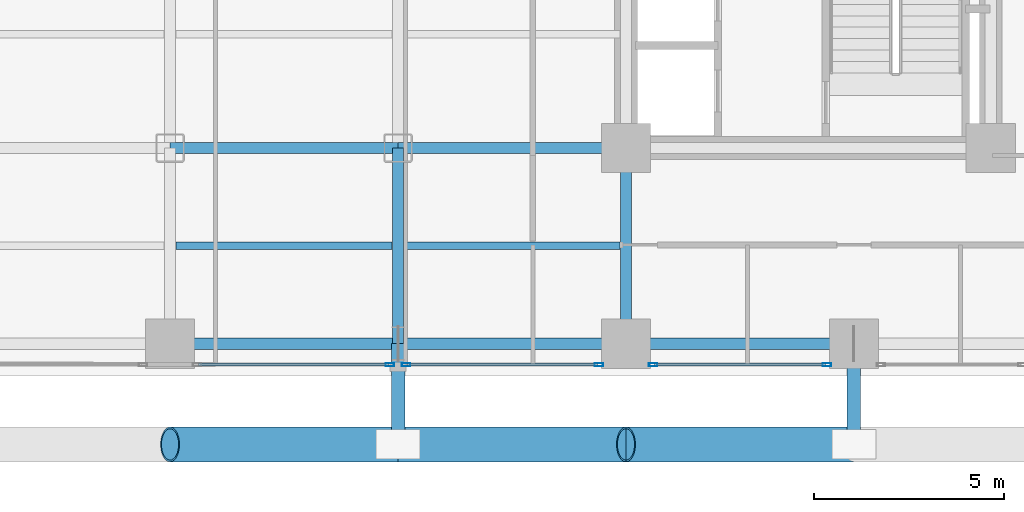
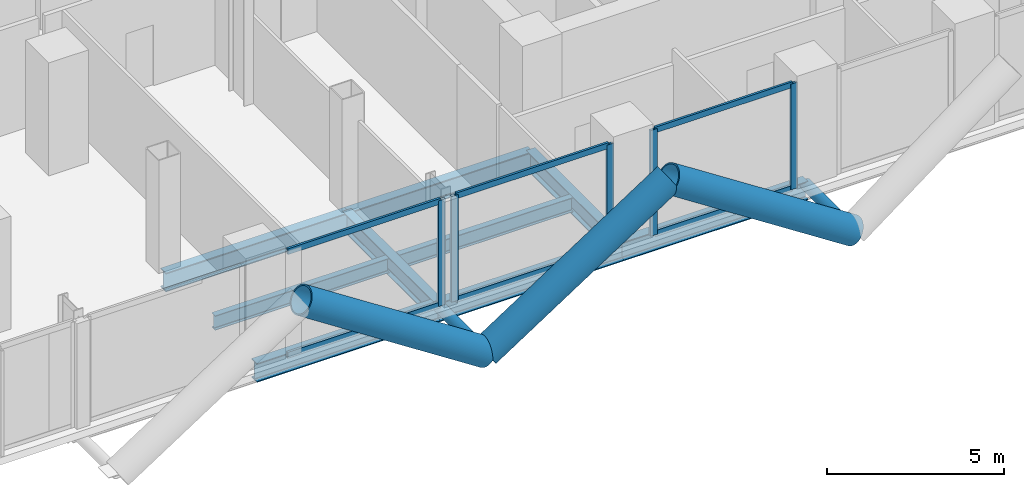
# One storey, part 3 of 27: 16 members, 9 beams, 3 elements without a shape of their own.
"""IFC4 building model written with IfcOpenShell, lengths in metres."""

from ifc_helpers import new_model, si_unit, direction, frame, origin, origin_2d, place, context, subcontext, project, spatial, hollow_rectangle, hollow_circle, i_section, extrude, material, layer, layer_set, material_profile, profile_set, type_object, element, aggregate, save


model = new_model("IFC4")

# Units and contexts
model_context = context("Model", 3, precision=1e-05, world=origin(), true_north=direction((0.0, 1.0)))
body_context = subcontext(model_context, "Body", "Model", "MODEL_VIEW")
ifc_project = project(units=[si_unit("LENGTHUNIT", "METRE"), si_unit("AREAUNIT", "SQUARE_METRE"), si_unit("VOLUMEUNIT", "CUBIC_METRE"), si_unit("PLANEANGLEUNIT", "RADIAN"), si_unit("MASSUNIT", "GRAM", prefix="KILO"), si_unit("THERMODYNAMICTEMPERATUREUNIT", "KELVIN"), si_unit("POWERUNIT", "WATT")], contexts=[model_context])

# Site, building, storey
site_placement = place(None, origin())
site = spatial("IfcSite", under=ifc_project, at=site_placement, CompositionType="ELEMENT")
building_placement = place(site_placement, origin())
building = spatial("IfcBuilding", under=site, at=building_placement, Name="Svarakhadi Broadcast Tower", CompositionType="ELEMENT")
storey_placement = place(building_placement, frame((0.0, 0.0, 40.199951171875)))
storey = spatial("IfcBuildingStorey", under=building, at=storey_placement, Name="L08", CompositionType="ELEMENT", Elevation=40.199951171875)

# Beams
ifc_material_1 = material(Name="Steel S355J2 (IS 2062 E350C)", Category="steel")
ifc_material_profile_1 = material_profile(ifc_material_1, i_section(OverallWidth=0.199951171875, OverallDepth=0.5, WebThickness=0.01025390625, FlangeThickness=0.01611328125, FilletRadius=0.02099609375, at=origin_2d()), Name="NPB 500x200x91")
ifc_profile_set_1 = profile_set([ifc_material_profile_1], Name="Steel S355J2 (IS 2062 E350C)")
beam_type_1 = type_object("IfcBeamType", Name="Beam_NPB500", PredefinedType="BEAM", material=ifc_profile_set_1)
for number, where, z_axis, x_axis, name in (
    (1, (12.159912109375, 3.425048828125, -0.5), (1.0, 0.0, 0.0), (0.0, 1.0, 0.0), "L08 Secondary Composite Beam SB013"),
    (2, (18.159912109375, 3.425048828125, -0.5), (1.0, 0.0, 0.0), (0.0, 1.0, 0.0), "L08 Secondary Composite Beam SB019"),
):
    element("IfcBeam", number, at=place(storey_placement, frame(where, z_axis=z_axis, x_axis=x_axis)), inside=storey, type_object=beam_type_1, Name=name, PredefinedType="BEAM", context=body_context, shape_type="SweptSolid", body=[
        extrude(i_section(OverallWidth=0.199951171875, OverallDepth=0.5, WebThickness=0.01025390625, FlangeThickness=0.01611328125, FilletRadius=0.02099609375, at=origin_2d()), origin(), (0.0, 0.0, 1.0), 5.68017578125),
    ])

# Curtain wall, members
ifc_material_2 = material(Name="Anodised Bronze Aluminium AA 6063-T6", Category="aluminium")
ifc_layer = layer(ifc_material_2, 0.219970703125)
ifc_layer_set = layer_set([ifc_layer], Name="Anodised Bronze Aluminium AA 6063-T6")
curtain_wall_type = type_object("IfcCurtainWallType", Name="CW_Sys_02", PredefinedType="NOTDEFINED", material=ifc_layer_set)
curtain_wall_1_placement = place(storey_placement, origin())
curtain_wall_1 = element("IfcCurtainWall", 3, at=curtain_wall_1_placement, inside=storey, type_object=curtain_wall_type, Name="L08 South Curtain Wall 17 Bay 3", PredefinedType="NOTDEFINED")
ifc_material_profile_2 = material_profile(ifc_material_2, hollow_rectangle(XDim=0.0849609375, YDim=0.219970703125, WallThickness=0.006103515625, at=origin_2d()), Name="ALU MULLION 220x85x6")
ifc_profile_set_2 = profile_set([ifc_material_profile_2], Name="Anodised Bronze Aluminium AA 6063-T6")
member_type_1 = type_object("IfcMemberType", Name="CW_Sys_02_Mul", PredefinedType="MULLION", material=ifc_profile_set_2)
member_1_placement = place(storey_placement, frame((29.28759765625, 0.300048828125, 0.0), z_axis=(0.0, 0.0, 1.0), x_axis=(0.0, -1.0, 0.0)))
member_1 = element("IfcMember", 4, at=member_1_placement, type_object=member_type_1, Name="CW-02 mullion 1", PredefinedType="MULLION", context=body_context, shape_type="SweptSolid", body=[
    extrude(hollow_rectangle(XDim=0.0849609375, YDim=0.219970703125, WallThickness=0.006103515625, at=origin_2d()), origin(), (0.0, 0.0, 1.0), 3.650146484375),
])
member_2_placement = place(storey_placement, frame((24.71240234375, 0.300048828125, 0.0), z_axis=(0.0, 0.0, 1.0), x_axis=(0.0, -1.0, 0.0)))
member_2 = element("IfcMember", 5, at=member_2_placement, type_object=member_type_1, Name="CW-02 mullion 2", PredefinedType="MULLION", context=body_context, shape_type="SweptSolid", body=[
    extrude(hollow_rectangle(XDim=0.0849609375, YDim=0.219970703125, WallThickness=0.006103515625, at=origin_2d()), origin(), (0.0, 0.0, 1.0), 3.650146484375),
])

curtain_wall_2_placement = place(storey_placement, origin())
curtain_wall_2 = element("IfcCurtainWall", 6, at=curtain_wall_2_placement, inside=storey, type_object=curtain_wall_type, Name="L08 South Curtain Wall 17 Bay 4", PredefinedType="NOTDEFINED")
member_3_placement = place(storey_placement, frame((23.28759765625, 0.300048828125, 0.0), z_axis=(0.0, 0.0, 1.0), x_axis=(0.0, -1.0, 0.0)))
member_3 = element("IfcMember", 7, at=member_3_placement, type_object=member_type_1, Name="CW-02 mullion 1", PredefinedType="MULLION", context=body_context, shape_type="SweptSolid", body=[
    extrude(hollow_rectangle(XDim=0.0849609375, YDim=0.219970703125, WallThickness=0.006103515625, at=origin_2d()), origin(), (0.0, 0.0, 1.0), 3.650146484375),
])
member_4_placement = place(storey_placement, frame((18.21240234375, 0.300048828125, 0.0), z_axis=(0.0, 0.0, 1.0), x_axis=(0.0, -1.0, 0.0)))
member_4 = element("IfcMember", 8, at=member_4_placement, type_object=member_type_1, Name="CW-02 mullion 2", PredefinedType="MULLION", context=body_context, shape_type="SweptSolid", body=[
    extrude(hollow_rectangle(XDim=0.0849609375, YDim=0.219970703125, WallThickness=0.006103515625, at=origin_2d()), origin(), (0.0, 0.0, 1.0), 3.650146484375),
])

# Curtain wall, member
curtain_wall_3_placement = place(storey_placement, origin())
curtain_wall_3 = element("IfcCurtainWall", 9, at=curtain_wall_3_placement, inside=storey, type_object=curtain_wall_type, Name="L08 South Curtain Wall 17 Bay 5", PredefinedType="NOTDEFINED")
member_5_placement = place(storey_placement, frame((17.78759765625, 0.300048828125, 0.0), z_axis=(0.0, 0.0, 1.0), x_axis=(0.0, -1.0, 0.0)))
member_5 = element("IfcMember", 10, at=member_5_placement, type_object=member_type_1, Name="CW-02 mullion 1", PredefinedType="MULLION", context=body_context, shape_type="SweptSolid", body=[
    extrude(hollow_rectangle(XDim=0.0849609375, YDim=0.219970703125, WallThickness=0.006103515625, at=origin_2d()), origin(), (0.0, 0.0, 1.0), 3.650146484375),
])

# Member
ifc_material_profile_3 = material_profile(ifc_material_2, hollow_rectangle(XDim=0.074951171875, YDim=0.199951171875, WallThickness=0.0048828125, at=origin_2d()), Name="ALU TRANSOM 200x75x5")
ifc_profile_set_3 = profile_set([ifc_material_profile_3], Name="Anodised Bronze Aluminium AA 6063-T6")
member_type_2 = type_object("IfcMemberType", Name="CW_Sys_02_Trn", PredefinedType="USERDEFINED", material=ifc_profile_set_3)
member_6_placement = place(storey_placement, frame((29.2451171875, 0.300048828125, 0.03759765625), z_axis=(-1.0, 0.0, 0.0), x_axis=(0.0, -1.0, 0.0)))
member_6 = element("IfcMember", 11, at=member_6_placement, type_object=member_type_2, Name="CW-02 transom 1.1", ObjectType="TRANSOM", PredefinedType="USERDEFINED", context=body_context, shape_type="SweptSolid", body=[
    extrude(hollow_rectangle(XDim=0.074951171875, YDim=0.199951171875, WallThickness=0.0048828125, at=origin_2d()), origin(), (0.0, 0.0, 1.0), 4.490234375),
])

member_7_placement = place(storey_placement, frame((29.2451171875, 0.300048828125, 3.612548828125), z_axis=(-1.0, 0.0, 0.0), x_axis=(0.0, -1.0, 0.0)))
member_7 = element("IfcMember", 12, at=member_7_placement, type_object=member_type_2, Name="CW-02 transom 1.2", ObjectType="TRANSOM", PredefinedType="USERDEFINED", context=body_context, shape_type="SweptSolid", body=[
    extrude(hollow_rectangle(XDim=0.074951171875, YDim=0.199951171875, WallThickness=0.0048828125, at=origin_2d()), origin(), (0.0, 0.0, 1.0), 4.490234375),
])

aggregate(curtain_wall_1, [member_1, member_2, member_6, member_7])

member_8_placement = place(storey_placement, frame((23.2451171875, 0.300048828125, 0.03759765625), z_axis=(-1.0, 0.0, 0.0), x_axis=(0.0, -1.0, 0.0)))
member_8 = element("IfcMember", 13, at=member_8_placement, type_object=member_type_2, Name="CW-02 transom 1.1", ObjectType="TRANSOM", PredefinedType="USERDEFINED", context=body_context, shape_type="SweptSolid", body=[
    extrude(hollow_rectangle(XDim=0.074951171875, YDim=0.199951171875, WallThickness=0.0048828125, at=origin_2d()), origin(), (0.0, 0.0, 1.0), 4.990234375),
])

member_9_placement = place(storey_placement, frame((23.2451171875, 0.300048828125, 3.612548828125), z_axis=(-1.0, 0.0, 0.0), x_axis=(0.0, -1.0, 0.0)))
member_9 = element("IfcMember", 14, at=member_9_placement, type_object=member_type_2, Name="CW-02 transom 1.2", ObjectType="TRANSOM", PredefinedType="USERDEFINED", context=body_context, shape_type="SweptSolid", body=[
    extrude(hollow_rectangle(XDim=0.074951171875, YDim=0.199951171875, WallThickness=0.0048828125, at=origin_2d()), origin(), (0.0, 0.0, 1.0), 4.990234375),
])

aggregate(curtain_wall_2, [member_3, member_4, member_8, member_9])

member_10_placement = place(storey_placement, frame((17.7451171875, 0.300048828125, 0.03759765625), z_axis=(-1.0, 0.0, 0.0), x_axis=(0.0, -1.0, 0.0)))
member_10 = element("IfcMember", 15, at=member_10_placement, type_object=member_type_2, Name="CW-02 transom 1.1", ObjectType="TRANSOM", PredefinedType="USERDEFINED", context=body_context, shape_type="SweptSolid", body=[
    extrude(hollow_rectangle(XDim=0.074951171875, YDim=0.199951171875, WallThickness=0.0048828125, at=origin_2d()), origin(), (0.0, 0.0, 1.0), 4.990234375),
])

member_11_placement = place(storey_placement, frame((17.7451171875, 0.300048828125, 3.612548828125), z_axis=(-1.0, 0.0, 0.0), x_axis=(0.0, -1.0, 0.0)))
member_11 = element("IfcMember", 16, at=member_11_placement, type_object=member_type_2, Name="CW-02 transom 1.2", ObjectType="TRANSOM", PredefinedType="USERDEFINED", context=body_context, shape_type="SweptSolid", body=[
    extrude(hollow_rectangle(XDim=0.074951171875, YDim=0.199951171875, WallThickness=0.0048828125, at=origin_2d()), origin(), (0.0, 0.0, 1.0), 4.990234375),
])

aggregate(curtain_wall_3, [member_5, member_10, member_11])

# Members
ifc_material_3 = material(Name="Steel S460ML (IS 2062 E450BR)", Category="steel")
ifc_material_profile_4 = material_profile(ifc_material_3, hollow_circle(Radius=0.45703125, WallThickness=0.044921875, at=origin_2d()), Name="CHS 914x45")
ifc_profile_set_4 = profile_set([ifc_material_profile_4], Name="Steel S460ML (IS 2062 E450BR)")
member_type_3 = type_object("IfcMemberType", Name="Exo_Brace_CHS914", PredefinedType="BRACE", material=ifc_profile_set_4)
for number, where, z_axis, x_axis, name in (
    (17, (18.0, -1.800048828125, -0.427734375), (-0.838449851971, 0.0, 0.544978757136), (0.0, -1.0, 0.0), "L08 Exposed Bronze Exoskeleton Diagonal S02"),
    (18, (18.0, -1.800048828125, -0.427734375), (0.838449851971, 0.0, 0.544978757136), (0.0, 1.0, 0.0), "L08 Exposed Bronze Exoskeleton Diagonal S03"),
    (19, (30.0, -1.800048828125, -0.427734375), (-0.838449851971, 0.0, 0.544978757136), (0.0, -1.0, 0.0), "L08 Exposed Bronze Exoskeleton Diagonal S04"),
):
    element("IfcMember", number, at=place(storey_placement, frame(where, z_axis=z_axis, x_axis=x_axis)), inside=storey, type_object=member_type_3, Name=name, PredefinedType="BRACE", context=body_context, shape_type="SweptSolid", body=[
        extrude(hollow_circle(Radius=0.45703125, WallThickness=0.044921875, at=origin_2d()), origin(), (0.0, 0.0, 1.0), 7.156005859375),
    ])
ifc_material_profile_5 = material_profile(ifc_material_3, hollow_circle(Radius=0.177734375, WallThickness=0.02001953125, at=origin_2d()), Name="CHS 355.6x20")
ifc_profile_set_5 = profile_set([ifc_material_profile_5], Name="Steel S460ML (IS 2062 E450BR)")
member_type_4 = type_object("IfcMemberType", Name="Exo_Radial_Strut_Z1", PredefinedType="STRUT", material=ifc_profile_set_5)
for number, where, z_axis, x_axis, name in (
    (20, (18.0, -1.800048828125, -0.427734375), (0.0, 1.0, 0.0), (-1.0, 0.0, 0.0), "L08 Exoskeleton Radial Tie Strut S02"),
    (21, (30.0, -1.800048828125, -0.427734375), (0.0, 1.0, 0.0), (-1.0, 0.0, 0.0), "L08 Exoskeleton Radial Tie Strut S03"),
):
    element("IfcMember", number, at=place(storey_placement, frame(where, z_axis=z_axis, x_axis=x_axis)), inside=storey, type_object=member_type_4, Name=name, PredefinedType="STRUT", context=body_context, shape_type="SweptSolid", body=[
        extrude(hollow_circle(Radius=0.177734375, WallThickness=0.02001953125, at=origin_2d()), origin(), (0.0, 0.0, 1.0), 2.650146484375),
    ])

# Beams
ifc_material_profile_6 = material_profile(ifc_material_1, i_section(OverallWidth=0.300048828125, OverallDepth=0.64990234375, WebThickness=0.01611328125, FlangeThickness=0.031005859375, FilletRadius=0.027099609375, at=origin_2d()), Name="WPB 650x300x225")
ifc_profile_set_6 = profile_set([ifc_material_profile_6], Name="Steel S355J2 (IS 2062 E350C)")
beam_type_2 = type_object("IfcBeamType", Name="Girder_WPB650", PredefinedType="USERDEFINED", material=ifc_profile_set_6)
for number, where, z_axis, x_axis, name in (
    (22, (12.0, 0.85009765625, -0.574951171875), (1.0, 0.0, 0.0), (0.0, 1.0, 0.0), "L08 Primary E-W Girder G005"),
    (23, (18.0, 0.85009765625, -0.574951171875), (1.0, 0.0, 0.0), (0.0, 1.0, 0.0), "L08 Primary E-W Girder G006"),
    (24, (24.0, 0.85009765625, -0.574951171875), (1.0, 0.0, 0.0), (0.0, 1.0, 0.0), "L08 Primary E-W Girder G007"),
    (25, (12.0, 6.0, -0.574951171875), (1.0, 0.0, 0.0), (0.0, 1.0, 0.0), "L08 Primary E-W Girder G013"),
    (26, (18.0, 6.0, -0.574951171875), (1.0, 0.0, 0.0), (0.0, 1.0, 0.0), "L08 Primary E-W Girder G014"),
):
    element("IfcBeam", number, at=place(storey_placement, frame(where, z_axis=z_axis, x_axis=x_axis)), inside=storey, type_object=beam_type_2, Name=name, ObjectType="GIRDER", PredefinedType="USERDEFINED", context=body_context, shape_type="SweptSolid", body=[
        extrude(i_section(OverallWidth=0.300048828125, OverallDepth=0.64990234375, WebThickness=0.01611328125, FlangeThickness=0.031005859375, FilletRadius=0.027099609375, at=origin_2d()), origin(), (0.0, 0.0, 1.0), 6.0),
    ])
for number, where, z_axis, x_axis, name in (
    (27, (18.0, 0.85009765625, -0.574951171875), (0.0, 1.0, 0.0), (-1.0, 0.0, 0.0), "L08 Primary N-S Girder G064"),
    (28, (24.0, 0.85009765625, -0.574951171875), (0.0, 1.0, 0.0), (-1.0, 0.0, 0.0), "L08 Primary N-S Girder G071"),
):
    element("IfcBeam", number, at=place(storey_placement, frame(where, z_axis=z_axis, x_axis=x_axis)), inside=storey, type_object=beam_type_2, Name=name, ObjectType="GIRDER", PredefinedType="USERDEFINED", context=body_context, shape_type="SweptSolid", body=[
        extrude(i_section(OverallWidth=0.300048828125, OverallDepth=0.64990234375, WebThickness=0.01611328125, FlangeThickness=0.031005859375, FilletRadius=0.027099609375, at=origin_2d()), origin(), (0.0, 0.0, 1.0), 5.14990234375),
    ])

save(model, "model.ifc")
